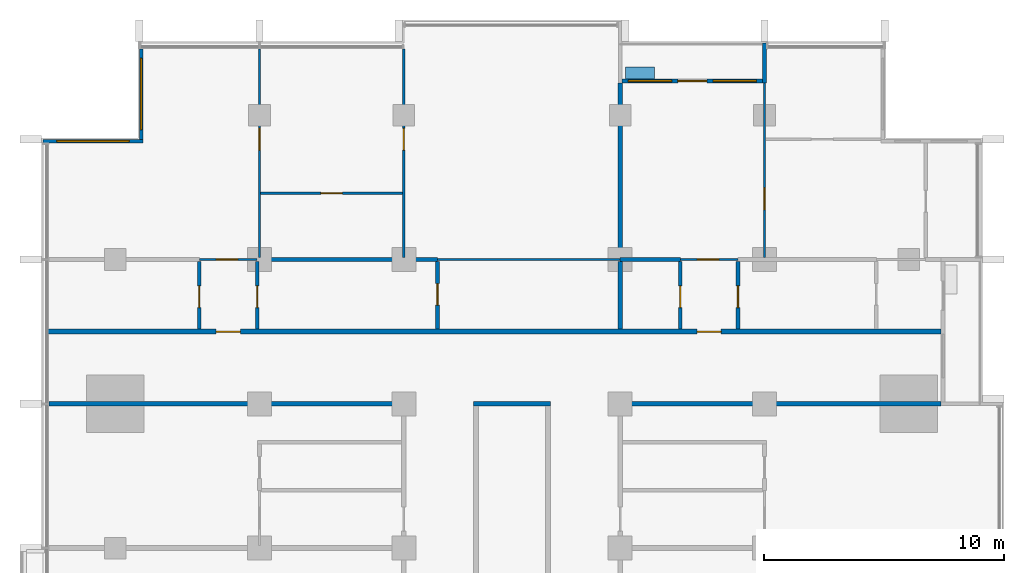
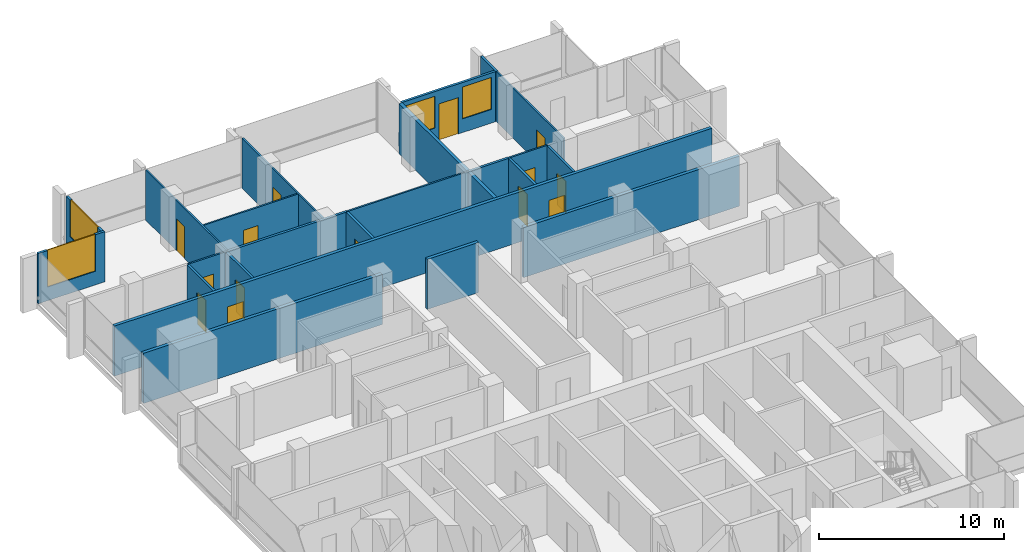
# One storey, part 10 of 16: 25 walls, 14 doors, 4 windows, 18 openings.
"""IFC4 building model written with IfcOpenShell, lengths in metres."""

from ifc_helpers import new_model, si_unit, direction, frame, frame_2d, origin, place, context, subcontext, project, spatial, rectangle, extrude, material, layer, layer_set, type_object, element, fill, save


model = new_model("IFC4")

# Units and contexts
model_context = context("Model", 3, precision=1e-05, world=origin(), true_north=direction((0.0, 1.0)))
body_context = subcontext(model_context, "Body", "Model", "MODEL_VIEW")
ifc_project = project(units=[si_unit("LENGTHUNIT", "METRE"), si_unit("AREAUNIT", "SQUARE_METRE"), si_unit("VOLUMEUNIT", "CUBIC_METRE"), si_unit("PLANEANGLEUNIT", "RADIAN"), si_unit("MASSUNIT", "GRAM", prefix="KILO")], contexts=[model_context])

# Site, building, storey
site_placement = place(None, origin())
site = spatial("IfcSite", under=ifc_project, at=site_placement, CompositionType="ELEMENT")
building_placement = place(site_placement, origin())
building = spatial("IfcBuilding", under=site, at=building_placement, Name="Finial Court Residences", CompositionType="ELEMENT")
storey_placement = place(building_placement, frame((0.0, 0.0, 160.10009765625)))
storey = spatial("IfcBuildingStorey", under=building, at=storey_placement, Name="L39", CompositionType="ELEMENT", Elevation=160.10009765625)

# Walls
ifc_material_1 = material(Name="Gypsum board")
ifc_layer_1 = layer(ifc_material_1, 0.02490234375)
ifc_material_2 = material(Name="Acoustic mineral wool in double frame")
ifc_layer_2 = layer(ifc_material_2, 0.14990234375)
ifc_layer_3 = layer(ifc_material_1, 0.02490234375)
ifc_layer_set_1 = layer_set([ifc_layer_1, ifc_layer_2, ifc_layer_3], Name="Acoustic party wall 200, 1 hour")
wall_type_1 = type_object("IfcWallType", Name="Acoustic party wall 200, 1 hour", PredefinedType="PARTITIONING", material=ifc_layer_set_1)
wall_1_placement = place(storey_placement, frame((4.5, 10.60009765625, 0.0), z_axis=(0.0, 0.0, 1.0), x_axis=(0.0, 1.0, 0.0)))
element("IfcWall", 1, at=wall_1_placement, inside=storey, type_object=wall_type_1, Name="Partition L39-048", PredefinedType="PARTITIONING", context=body_context, shape_type="SweptSolid", body=[
    extrude(rectangle(XDim=2.824951171875, YDim=0.199951171875, at=frame_2d((1.41259765625, 0.0))), origin(), (0.0, 0.0, 1.0), 3.2998046875),
])
wall_2_placement = place(storey_placement, frame((4.5, 13.574951171875, 0.0), z_axis=(0.0, 0.0, 1.0), x_axis=(0.0, 1.0, 0.0)))
element("IfcWall", 2, at=wall_2_placement, inside=storey, type_object=wall_type_1, Name="Partition L39-049", PredefinedType="PARTITIONING", context=body_context, shape_type="SweptSolid", body=[
    extrude(rectangle(XDim=7.275146484375, YDim=0.199951171875, at=frame_2d((3.6376953125, 0.0))), origin(), (0.0, 0.0, 1.0), 3.2998046875),
])
ifc_layer_4 = layer(ifc_material_1, 0.02490234375)
ifc_layer_5 = layer(ifc_material_2, 0.14990234375)
ifc_layer_6 = layer(ifc_material_1, 0.02490234375)
ifc_layer_set_2 = layer_set([ifc_layer_4, ifc_layer_5, ifc_layer_6], Name="Corridor wall 200, 1 hour")
wall_type_2 = type_object("IfcWallType", Name="Corridor wall 200, 1 hour", PredefinedType="PARTITIONING", material=ifc_layer_set_2)
wall_3_placement = place(storey_placement, frame((-19.262451171875, 7.5, 0.0), z_axis=(0.0, 0.0, 1.0), x_axis=(1.0, 0.0, 0.0)))
element("IfcWall", 3, at=wall_3_placement, inside=storey, type_object=wall_type_2, Name="Partition L39-019", PredefinedType="PARTITIONING", context=body_context, shape_type="SweptSolid", body=[
    extrude(rectangle(XDim=14.862548828125, YDim=0.199951171875, at=frame_2d((7.43115234375, 0.0))), origin(), (0.0, 0.0, 1.0), 3.2998046875),
])
wall_4_placement = place(storey_placement, frame((-1.60009765625, 7.5, 0.0), z_axis=(0.0, 0.0, 1.0), x_axis=(1.0, 0.0, 0.0)))
element("IfcWall", 4, at=wall_4_placement, inside=storey, type_object=wall_type_2, Name="Partition L39-020", PredefinedType="PARTITIONING", context=body_context, shape_type="SweptSolid", body=[
    extrude(rectangle(XDim=3.2001953125, YDim=0.199951171875, at=frame_2d((1.60009765625, 0.0))), origin(), (0.0, 0.0, 1.0), 3.2998046875),
])
wall_5_placement = place(storey_placement, frame((4.39990234375, 7.5, 0.0), z_axis=(0.0, 0.0, 1.0), x_axis=(1.0, 0.0, 0.0)))
element("IfcWall", 5, at=wall_5_placement, inside=storey, type_object=wall_type_2, Name="Partition L39-021", PredefinedType="PARTITIONING", context=body_context, shape_type="SweptSolid", body=[
    extrude(rectangle(XDim=13.4501953125, YDim=0.199951171875, at=frame_2d((6.72509765625, 0.0))), origin(), (0.0, 0.0, 1.0), 3.2998046875),
])

# Wall, openings, doors
wall_6_placement = place(storey_placement, frame((-19.35009765625, 10.5, 0.0), z_axis=(0.0, 0.0, 1.0), x_axis=(1.0, 0.0, 0.0)))
wall_6 = element("IfcWall", 6, at=wall_6_placement, inside=storey, type_object=wall_type_2, Name="Partition L39-022", PredefinedType="PARTITIONING", context=body_context, shape_type="SweptSolid", body=[
    extrude(rectangle(XDim=37.2001953125, YDim=0.199951171875, at=frame_2d((18.60009765625, 0.0))), origin(), (0.0, 0.0, 1.0), 3.2998046875),
])
opening_1_placement = place(wall_6_placement, frame((7.050048828125, 0.0, 0.0)))
opening_1 = element("IfcOpeningElement", 7, at=opening_1_placement, cuts=wall_6, Name="Opening L39-D012", PredefinedType="OPENING", context=body_context, shape_type="SweptSolid", body=[
    extrude(rectangle(XDim=1.0, YDim=2.10009765625, at=frame_2d((0.5, 1.050048828125))), frame((0.0, 0.10986328125, 0.0), z_axis=(0.0, -1.0, 0.0), x_axis=(1.0, 0.0, 0.0)), (0.0, 0.0, 1.0), 0.219970703125),
])
opening_2_placement = place(wall_6_placement, frame((27.050048828125, 0.0, 0.0)))
opening_2 = element("IfcOpeningElement", 8, at=opening_2_placement, cuts=wall_6, Name="Opening L39-D013", PredefinedType="OPENING", context=body_context, shape_type="SweptSolid", body=[
    extrude(rectangle(XDim=1.0, YDim=2.10009765625, at=frame_2d((0.5, 1.050048828125))), frame((0.0, 0.10986328125, 0.0), z_axis=(0.0, -1.0, 0.0), x_axis=(1.0, 0.0, 0.0)), (0.0, 0.0, 1.0), 0.219970703125),
])
ifc_material_3 = material(Name="Timber door leaf in hollow metal frame", Category="wood")
door_type_1 = type_object("IfcDoorType", Name="Fire door set 1000 x 2100, 30 minutes", OperationType="SINGLE_SWING_LEFT", PredefinedType="DOOR", material=ifc_material_3)
door_1_placement = place(opening_1_placement, origin())
door_1 = element("IfcDoor", 9, at=door_1_placement, inside=storey, type_object=door_type_1, Name="Door L39-D012", OperationType="SINGLE_SWING_RIGHT", OverallHeight=2.10009765625, OverallWidth=1.0, PredefinedType="DOOR", context=body_context, shape_type="SweptSolid", body=[
    extrude(rectangle(XDim=1.0, YDim=2.10009765625, at=frame_2d((0.5, 1.050048828125))), frame((0.0, 0.02490234375, 0.0), z_axis=(0.0, -1.0, 0.0), x_axis=(1.0, 0.0, 0.0)), (0.0, 0.0, 1.0), 0.050048828125),
])
fill(opening_1, door_1)
door_2_placement = place(opening_2_placement, origin())
door_2 = element("IfcDoor", 10, at=door_2_placement, inside=storey, type_object=door_type_1, Name="Door L39-D013", OperationType="SINGLE_SWING_LEFT", OverallHeight=2.10009765625, OverallWidth=1.0, PredefinedType="DOOR", context=body_context, shape_type="SweptSolid", body=[
    extrude(rectangle(XDim=1.0, YDim=2.10009765625, at=frame_2d((0.5, 1.050048828125))), frame((0.0, 0.02490234375, 0.0), z_axis=(0.0, -1.0, 0.0), x_axis=(1.0, 0.0, 0.0)), (0.0, 0.0, 1.0), 0.050048828125),
])
fill(opening_2, door_2)

# Wall, opening, door
ifc_layer_7 = layer(ifc_material_1, 0.012451171875)
ifc_material_4 = material(Name="Mineral wool in light-gauge frame")
ifc_layer_8 = layer(ifc_material_4, 0.074951171875)
ifc_layer_9 = layer(ifc_material_1, 0.012451171875)
ifc_layer_set_3 = layer_set([ifc_layer_7, ifc_layer_8, ifc_layer_9], Name="Gypsum board partition 100")
wall_type_3 = type_object("IfcWallType", Name="Gypsum board partition 100", PredefinedType="PARTITIONING", material=ifc_layer_set_3)
wall_7_placement = place(storey_placement, frame((-13.0, 13.5, 0.0), z_axis=(0.0, 0.0, 1.0), x_axis=(1.0, 0.0, 0.0)))
wall_7 = element("IfcWall", 11, at=wall_7_placement, inside=storey, type_object=wall_type_3, Name="Partition L39-023", PredefinedType="PARTITIONING", context=body_context, shape_type="SweptSolid", body=[
    extrude(rectangle(XDim=2.39990234375, YDim=0.10009765625, at=frame_2d((1.199951171875, 0.0))), origin(), (0.0, 0.0, 1.0), 3.2998046875),
])
opening_3_placement = place(wall_7_placement, frame((0.699951171875, 0.0, 0.0)))
opening_3 = element("IfcOpeningElement", 12, at=opening_3_placement, cuts=wall_7, Name="Opening L39-D014", PredefinedType="OPENING", context=body_context, shape_type="SweptSolid", body=[
    extrude(rectangle(XDim=0.89990234375, YDim=2.10009765625, at=frame_2d((0.449951171875, 1.050048828125))), frame((0.0, 0.06005859375, 0.0), z_axis=(0.0, -1.0, 0.0), x_axis=(1.0, 0.0, 0.0)), (0.0, 0.0, 1.0), 0.1201171875),
])
ifc_material_5 = material(Name="Timber door leaf in timber frame", Category="wood")
door_type_2 = type_object("IfcDoorType", Name="Door set 900 x 2100", OperationType="SINGLE_SWING_LEFT", PredefinedType="DOOR", material=ifc_material_5)
door_3_placement = place(opening_3_placement, origin())
door_3 = element("IfcDoor", 13, at=door_3_placement, inside=storey, type_object=door_type_2, Name="Door L39-D014", OperationType="SINGLE_SWING_LEFT", OverallHeight=2.10009765625, OverallWidth=0.89990234375, PredefinedType="DOOR", context=body_context, shape_type="SweptSolid", body=[
    extrude(rectangle(XDim=0.89990234375, YDim=2.10009765625, at=frame_2d((0.449951171875, 1.050048828125))), frame((0.0, 0.02490234375, 0.0), z_axis=(0.0, -1.0, 0.0), x_axis=(1.0, 0.0, 0.0)), (0.0, 0.0, 1.0), 0.050048828125),
])
fill(opening_3, door_3)

# Wall
wall_8_placement = place(storey_placement, frame((-3.10009765625, 13.5, 0.0), z_axis=(0.0, 0.0, 1.0), x_axis=(1.0, 0.0, 0.0)))
element("IfcWall", 14, at=wall_8_placement, inside=storey, type_object=wall_type_3, Name="Partition L39-024", PredefinedType="PARTITIONING", context=body_context, shape_type="SweptSolid", body=[
    extrude(rectangle(XDim=7.60009765625, YDim=0.10009765625, at=frame_2d((3.800048828125, 0.0))), origin(), (0.0, 0.0, 1.0), 3.2998046875),
])

# Wall, opening, door
wall_9_placement = place(storey_placement, frame((7.0, 13.5, 0.0), z_axis=(0.0, 0.0, 1.0), x_axis=(1.0, 0.0, 0.0)))
wall_9 = element("IfcWall", 15, at=wall_9_placement, inside=storey, type_object=wall_type_3, Name="Partition L39-025", PredefinedType="PARTITIONING", context=body_context, shape_type="SweptSolid", body=[
    extrude(rectangle(XDim=2.39990234375, YDim=0.10009765625, at=frame_2d((1.199951171875, 0.0))), origin(), (0.0, 0.0, 1.0), 3.2998046875),
])
opening_4_placement = place(wall_9_placement, frame((0.699951171875, 0.0, 0.0)))
opening_4 = element("IfcOpeningElement", 16, at=opening_4_placement, cuts=wall_9, Name="Opening L39-D015", PredefinedType="OPENING", context=body_context, shape_type="SweptSolid", body=[
    extrude(rectangle(XDim=0.89990234375, YDim=2.10009765625, at=frame_2d((0.449951171875, 1.050048828125))), frame((0.0, 0.06005859375, 0.0), z_axis=(0.0, -1.0, 0.0), x_axis=(1.0, 0.0, 0.0)), (0.0, 0.0, 1.0), 0.1201171875),
])
door_4_placement = place(opening_4_placement, origin())
door_4 = element("IfcDoor", 17, at=door_4_placement, inside=storey, type_object=door_type_2, Name="Door L39-D015", OperationType="SINGLE_SWING_LEFT", OverallHeight=2.10009765625, OverallWidth=0.89990234375, PredefinedType="DOOR", context=body_context, shape_type="SweptSolid", body=[
    extrude(rectangle(XDim=0.89990234375, YDim=2.10009765625, at=frame_2d((0.449951171875, 1.050048828125))), frame((0.0, 0.02490234375, 0.0), z_axis=(0.0, -1.0, 0.0), x_axis=(1.0, 0.0, 0.0)), (0.0, 0.0, 1.0), 0.050048828125),
])
fill(opening_4, door_4)

wall_10_placement = place(storey_placement, frame((-10.449951171875, 16.25, 0.0), z_axis=(0.0, 0.0, 1.0), x_axis=(1.0, 0.0, 0.0)))
wall_10 = element("IfcWall", 18, at=wall_10_placement, inside=storey, type_object=wall_type_3, Name="Partition L39-032", PredefinedType="PARTITIONING", context=body_context, shape_type="SweptSolid", body=[
    extrude(rectangle(XDim=5.89990234375, YDim=0.10009765625, at=frame_2d((2.949951171875, 0.0))), origin(), (0.0, 0.0, 1.0), 3.2998046875),
])
opening_5_placement = place(wall_10_placement, frame((2.5, 0.0, 0.0)))
opening_5 = element("IfcOpeningElement", 19, at=opening_5_placement, cuts=wall_10, Name="Opening L39-D016", PredefinedType="OPENING", context=body_context, shape_type="SweptSolid", body=[
    extrude(rectangle(XDim=0.89990234375, YDim=2.10009765625, at=frame_2d((0.449951171875, 1.050048828125))), frame((0.0, 0.06005859375, 0.0), z_axis=(0.0, -1.0, 0.0), x_axis=(1.0, 0.0, 0.0)), (0.0, 0.0, 1.0), 0.1201171875),
])
door_5_placement = place(opening_5_placement, origin())
door_5 = element("IfcDoor", 20, at=door_5_placement, inside=storey, type_object=door_type_2, Name="Door L39-D016", OperationType="SINGLE_SWING_LEFT", OverallHeight=2.10009765625, OverallWidth=0.89990234375, PredefinedType="DOOR", context=body_context, shape_type="SweptSolid", body=[
    extrude(rectangle(XDim=0.89990234375, YDim=2.10009765625, at=frame_2d((0.449951171875, 1.050048828125))), frame((0.0, 0.02490234375, 0.0), z_axis=(0.0, -1.0, 0.0), x_axis=(1.0, 0.0, 0.0)), (0.0, 0.0, 1.0), 0.050048828125),
])
fill(opening_5, door_5)

wall_11_placement = place(storey_placement, frame((-10.5, 13.574951171875, 0.0), z_axis=(0.0, 0.0, 1.0), x_axis=(0.0, 1.0, 0.0)))
wall_11 = element("IfcWall", 21, at=wall_11_placement, inside=storey, type_object=wall_type_3, Name="Partition L39-039", PredefinedType="PARTITIONING", context=body_context, shape_type="SweptSolid", body=[
    extrude(rectangle(XDim=8.6875, YDim=0.10009765625, at=frame_2d((4.34375, 0.0))), origin(), (0.0, 0.0, 1.0), 3.2998046875),
])
opening_6_placement = place(wall_11_placement, frame((4.47509765625, 0.0, 0.0)))
opening_6 = element("IfcOpeningElement", 22, at=opening_6_placement, cuts=wall_11, Name="Opening L39-D022", PredefinedType="OPENING", context=body_context, shape_type="SweptSolid", body=[
    extrude(rectangle(XDim=0.89990234375, YDim=2.10009765625, at=frame_2d((0.449951171875, 1.050048828125))), frame((0.0, 0.06005859375, 0.0), z_axis=(0.0, -1.0, 0.0), x_axis=(1.0, 0.0, 0.0)), (0.0, 0.0, 1.0), 0.1201171875),
])
door_6_placement = place(opening_6_placement, origin())
door_6 = element("IfcDoor", 23, at=door_6_placement, inside=storey, type_object=door_type_2, Name="Door L39-D022", OperationType="SINGLE_SWING_RIGHT", OverallHeight=2.10009765625, OverallWidth=0.89990234375, PredefinedType="DOOR", context=body_context, shape_type="SweptSolid", body=[
    extrude(rectangle(XDim=0.89990234375, YDim=2.10009765625, at=frame_2d((0.449951171875, 1.050048828125))), frame((0.0, 0.02490234375, 0.0), z_axis=(0.0, -1.0, 0.0), x_axis=(1.0, 0.0, 0.0)), (0.0, 0.0, 1.0), 0.050048828125),
])
fill(opening_6, door_6)

wall_12_placement = place(storey_placement, frame((-4.5, 13.574951171875, 0.0), z_axis=(0.0, 0.0, 1.0), x_axis=(0.0, 1.0, 0.0)))
wall_12 = element("IfcWall", 24, at=wall_12_placement, inside=storey, type_object=wall_type_3, Name="Partition L39-043", PredefinedType="PARTITIONING", context=body_context, shape_type="SweptSolid", body=[
    extrude(rectangle(XDim=8.6875, YDim=0.10009765625, at=frame_2d((4.34375, 0.0))), origin(), (0.0, 0.0, 1.0), 3.2998046875),
])
opening_7_placement = place(wall_12_placement, frame((4.47509765625, 0.0, 0.0)))
opening_7 = element("IfcOpeningElement", 25, at=opening_7_placement, cuts=wall_12, Name="Opening L39-D026", PredefinedType="OPENING", context=body_context, shape_type="SweptSolid", body=[
    extrude(rectangle(XDim=0.89990234375, YDim=2.10009765625, at=frame_2d((0.449951171875, 1.050048828125))), frame((0.0, 0.06005859375, 0.0), z_axis=(0.0, -1.0, 0.0), x_axis=(1.0, 0.0, 0.0)), (0.0, 0.0, 1.0), 0.1201171875),
])
door_7_placement = place(opening_7_placement, origin())
door_7 = element("IfcDoor", 26, at=door_7_placement, inside=storey, type_object=door_type_2, Name="Door L39-D026", OperationType="SINGLE_SWING_RIGHT", OverallHeight=2.10009765625, OverallWidth=0.89990234375, PredefinedType="DOOR", context=body_context, shape_type="SweptSolid", body=[
    extrude(rectangle(XDim=0.89990234375, YDim=2.10009765625, at=frame_2d((0.449951171875, 1.050048828125))), frame((0.0, 0.02490234375, 0.0), z_axis=(0.0, -1.0, 0.0), x_axis=(1.0, 0.0, 0.0)), (0.0, 0.0, 1.0), 0.050048828125),
])
fill(opening_7, door_7)

wall_13_placement = place(storey_placement, frame((10.5, 13.574951171875, 0.0), z_axis=(0.0, 0.0, 1.0), x_axis=(0.0, 1.0, 0.0)))
wall_13 = element("IfcWall", 27, at=wall_13_placement, inside=storey, type_object=wall_type_3, Name="Partition L39-054", PredefinedType="PARTITIONING", context=body_context, shape_type="SweptSolid", body=[
    extrude(rectangle(XDim=7.275146484375, YDim=0.10009765625, at=frame_2d((3.6376953125, 0.0))), origin(), (0.0, 0.0, 1.0), 3.2998046875),
])
opening_8_placement = place(wall_13_placement, frame((2.0, 0.0, 0.0)))
opening_8 = element("IfcOpeningElement", 28, at=opening_8_placement, cuts=wall_13, Name="Opening L39-D033", PredefinedType="OPENING", context=body_context, shape_type="SweptSolid", body=[
    extrude(rectangle(XDim=0.89990234375, YDim=2.10009765625, at=frame_2d((0.449951171875, 1.050048828125))), frame((0.0, 0.06005859375, 0.0), z_axis=(0.0, -1.0, 0.0), x_axis=(1.0, 0.0, 0.0)), (0.0, 0.0, 1.0), 0.1201171875),
])
door_8_placement = place(opening_8_placement, origin())
door_8 = element("IfcDoor", 29, at=door_8_placement, inside=storey, type_object=door_type_2, Name="Door L39-D033", OperationType="SINGLE_SWING_LEFT", OverallHeight=2.10009765625, OverallWidth=0.89990234375, PredefinedType="DOOR", context=body_context, shape_type="SweptSolid", body=[
    extrude(rectangle(XDim=0.89990234375, YDim=2.10009765625, at=frame_2d((0.449951171875, 1.050048828125))), frame((0.0, 0.02490234375, 0.0), z_axis=(0.0, -1.0, 0.0), x_axis=(1.0, 0.0, 0.0)), (0.0, 0.0, 1.0), 0.050048828125),
])
fill(opening_8, door_8)

# Walls
ifc_material_6 = material(Name="Moisture-resistant gypsum board")
ifc_layer_10 = layer(ifc_material_6, 0.012451171875)
ifc_layer_11 = layer(ifc_material_4, 0.125)
ifc_layer_12 = layer(ifc_material_6, 0.012451171875)
ifc_layer_set_4 = layer_set([ifc_layer_10, ifc_layer_11, ifc_layer_12], Name="Gypsum board wet-area partition 150")
wall_type_4 = type_object("IfcWallType", Name="Gypsum board wet-area partition 150", PredefinedType="PARTITIONING", material=ifc_layer_set_4)
wall_14_placement = place(storey_placement, frame((-10.5, 13.5, 0.0), z_axis=(0.0, 0.0, 1.0), x_axis=(1.0, 0.0, 0.0)))
element("IfcWall", 30, at=wall_14_placement, inside=storey, type_object=wall_type_4, Name="Partition L39-028", PredefinedType="PARTITIONING", context=body_context, shape_type="SweptSolid", body=[
    extrude(rectangle(XDim=7.39990234375, YDim=0.14990234375, at=frame_2d((3.699951171875, 0.0))), origin(), (0.0, 0.0, 1.0), 3.2998046875),
])
wall_15_placement = place(storey_placement, frame((4.5, 13.5, 0.0), z_axis=(0.0, 0.0, 1.0), x_axis=(1.0, 0.0, 0.0)))
element("IfcWall", 31, at=wall_15_placement, inside=storey, type_object=wall_type_4, Name="Partition L39-029", PredefinedType="PARTITIONING", context=body_context, shape_type="SweptSolid", body=[
    extrude(rectangle(XDim=2.5, YDim=0.14990234375, at=frame_2d((1.25, 0.0))), origin(), (0.0, 0.0, 1.0), 3.2998046875),
])

# Wall, opening, door
wall_16_placement = place(storey_placement, frame((-13.0, 10.60009765625, 0.0), z_axis=(0.0, 0.0, 1.0), x_axis=(0.0, 1.0, 0.0)))
wall_16 = element("IfcWall", 32, at=wall_16_placement, inside=storey, type_object=wall_type_4, Name="Partition L39-035", PredefinedType="PARTITIONING", context=body_context, shape_type="SweptSolid", body=[
    extrude(rectangle(XDim=2.824951171875, YDim=0.14990234375, at=frame_2d((1.41259765625, 0.0))), origin(), (0.0, 0.0, 1.0), 3.2998046875),
])
opening_9_placement = place(wall_16_placement, frame((0.89990234375, 0.0, 0.0)))
opening_9 = element("IfcOpeningElement", 33, at=opening_9_placement, cuts=wall_16, Name="Opening L39-D018", PredefinedType="OPENING", context=body_context, shape_type="SweptSolid", body=[
    extrude(rectangle(XDim=0.89990234375, YDim=2.10009765625, at=frame_2d((0.449951171875, 1.050048828125))), frame((0.0, 0.0849609375, 0.0), z_axis=(0.0, -1.0, 0.0), x_axis=(1.0, 0.0, 0.0)), (0.0, 0.0, 1.0), 0.169921875),
])
door_9_placement = place(opening_9_placement, origin())
door_9 = element("IfcDoor", 34, at=door_9_placement, inside=storey, type_object=door_type_2, Name="Door L39-D018", OperationType="SINGLE_SWING_LEFT", OverallHeight=2.10009765625, OverallWidth=0.89990234375, PredefinedType="DOOR", context=body_context, shape_type="SweptSolid", body=[
    extrude(rectangle(XDim=0.89990234375, YDim=2.10009765625, at=frame_2d((0.449951171875, 1.050048828125))), frame((0.0, 0.02490234375, 0.0), z_axis=(0.0, -1.0, 0.0), x_axis=(1.0, 0.0, 0.0)), (0.0, 0.0, 1.0), 0.050048828125),
])
fill(opening_9, door_9)

wall_17_placement = place(storey_placement, frame((-10.60009765625, 10.60009765625, 0.0), z_axis=(0.0, 0.0, 1.0), x_axis=(0.0, 1.0, 0.0)))
wall_17 = element("IfcWall", 35, at=wall_17_placement, inside=storey, type_object=wall_type_4, Name="Partition L39-036", PredefinedType="PARTITIONING", context=body_context, shape_type="SweptSolid", body=[
    extrude(rectangle(XDim=2.824951171875, YDim=0.14990234375, at=frame_2d((1.41259765625, 0.0))), origin(), (0.0, 0.0, 1.0), 3.2998046875),
])
opening_10_placement = place(wall_17_placement, frame((0.89990234375, 0.0, 0.0)))
opening_10 = element("IfcOpeningElement", 36, at=opening_10_placement, cuts=wall_17, Name="Opening L39-D019", PredefinedType="OPENING", context=body_context, shape_type="SweptSolid", body=[
    extrude(rectangle(XDim=0.89990234375, YDim=2.10009765625, at=frame_2d((0.449951171875, 1.050048828125))), frame((0.0, 0.0849609375, 0.0), z_axis=(0.0, -1.0, 0.0), x_axis=(1.0, 0.0, 0.0)), (0.0, 0.0, 1.0), 0.169921875),
])
door_10_placement = place(opening_10_placement, origin())
door_10 = element("IfcDoor", 37, at=door_10_placement, inside=storey, type_object=door_type_2, Name="Door L39-D019", OperationType="SINGLE_SWING_RIGHT", OverallHeight=2.10009765625, OverallWidth=0.89990234375, PredefinedType="DOOR", context=body_context, shape_type="SweptSolid", body=[
    extrude(rectangle(XDim=0.89990234375, YDim=2.10009765625, at=frame_2d((0.449951171875, 1.050048828125))), frame((0.0, 0.02490234375, 0.0), z_axis=(0.0, -1.0, 0.0), x_axis=(1.0, 0.0, 0.0)), (0.0, 0.0, 1.0), 0.050048828125),
])
fill(opening_10, door_10)

wall_18_placement = place(storey_placement, frame((-3.10009765625, 10.60009765625, 0.0), z_axis=(0.0, 0.0, 1.0), x_axis=(0.0, 1.0, 0.0)))
wall_18 = element("IfcWall", 38, at=wall_18_placement, inside=storey, type_object=wall_type_4, Name="Partition L39-044", PredefinedType="PARTITIONING", context=body_context, shape_type="SweptSolid", body=[
    extrude(rectangle(XDim=2.824951171875, YDim=0.14990234375, at=frame_2d((1.41259765625, 0.0))), origin(), (0.0, 0.0, 1.0), 3.2998046875),
])
opening_11_placement = place(wall_18_placement, frame((1.0, 0.0, 0.0)))
opening_11 = element("IfcOpeningElement", 39, at=opening_11_placement, cuts=wall_18, Name="Opening L39-D027", PredefinedType="OPENING", context=body_context, shape_type="SweptSolid", body=[
    extrude(rectangle(XDim=0.89990234375, YDim=2.10009765625, at=frame_2d((0.449951171875, 1.050048828125))), frame((0.0, 0.0849609375, 0.0), z_axis=(0.0, -1.0, 0.0), x_axis=(1.0, 0.0, 0.0)), (0.0, 0.0, 1.0), 0.169921875),
])
door_11_placement = place(opening_11_placement, origin())
door_11 = element("IfcDoor", 40, at=door_11_placement, inside=storey, type_object=door_type_2, Name="Door L39-D027", OperationType="SINGLE_SWING_RIGHT", OverallHeight=2.10009765625, OverallWidth=0.89990234375, PredefinedType="DOOR", context=body_context, shape_type="SweptSolid", body=[
    extrude(rectangle(XDim=0.89990234375, YDim=2.10009765625, at=frame_2d((0.449951171875, 1.050048828125))), frame((0.0, 0.02490234375, 0.0), z_axis=(0.0, -1.0, 0.0), x_axis=(1.0, 0.0, 0.0)), (0.0, 0.0, 1.0), 0.050048828125),
])
fill(opening_11, door_11)

wall_19_placement = place(storey_placement, frame((7.0, 10.60009765625, 0.0), z_axis=(0.0, 0.0, 1.0), x_axis=(0.0, 1.0, 0.0)))
wall_19 = element("IfcWall", 41, at=wall_19_placement, inside=storey, type_object=wall_type_4, Name="Partition L39-050", PredefinedType="PARTITIONING", context=body_context, shape_type="SweptSolid", body=[
    extrude(rectangle(XDim=2.824951171875, YDim=0.14990234375, at=frame_2d((1.41259765625, 0.0))), origin(), (0.0, 0.0, 1.0), 3.2998046875),
])
opening_12_placement = place(wall_19_placement, frame((0.89990234375, 0.0, 0.0)))
opening_12 = element("IfcOpeningElement", 42, at=opening_12_placement, cuts=wall_19, Name="Opening L39-D029", PredefinedType="OPENING", context=body_context, shape_type="SweptSolid", body=[
    extrude(rectangle(XDim=0.89990234375, YDim=2.10009765625, at=frame_2d((0.449951171875, 1.050048828125))), frame((0.0, 0.0849609375, 0.0), z_axis=(0.0, -1.0, 0.0), x_axis=(1.0, 0.0, 0.0)), (0.0, 0.0, 1.0), 0.169921875),
])
door_12_placement = place(opening_12_placement, origin())
door_12 = element("IfcDoor", 43, at=door_12_placement, inside=storey, type_object=door_type_2, Name="Door L39-D029", OperationType="SINGLE_SWING_LEFT", OverallHeight=2.10009765625, OverallWidth=0.89990234375, PredefinedType="DOOR", context=body_context, shape_type="SweptSolid", body=[
    extrude(rectangle(XDim=0.89990234375, YDim=2.10009765625, at=frame_2d((0.449951171875, 1.050048828125))), frame((0.0, 0.02490234375, 0.0), z_axis=(0.0, -1.0, 0.0), x_axis=(1.0, 0.0, 0.0)), (0.0, 0.0, 1.0), 0.050048828125),
])
fill(opening_12, door_12)

wall_20_placement = place(storey_placement, frame((9.39990234375, 10.60009765625, 0.0), z_axis=(0.0, 0.0, 1.0), x_axis=(0.0, 1.0, 0.0)))
wall_20 = element("IfcWall", 44, at=wall_20_placement, inside=storey, type_object=wall_type_4, Name="Partition L39-051", PredefinedType="PARTITIONING", context=body_context, shape_type="SweptSolid", body=[
    extrude(rectangle(XDim=2.824951171875, YDim=0.14990234375, at=frame_2d((1.41259765625, 0.0))), origin(), (0.0, 0.0, 1.0), 3.2998046875),
])
opening_13_placement = place(wall_20_placement, frame((0.89990234375, 0.0, 0.0)))
opening_13 = element("IfcOpeningElement", 45, at=opening_13_placement, cuts=wall_20, Name="Opening L39-D030", PredefinedType="OPENING", context=body_context, shape_type="SweptSolid", body=[
    extrude(rectangle(XDim=0.89990234375, YDim=2.10009765625, at=frame_2d((0.449951171875, 1.050048828125))), frame((0.0, 0.0849609375, 0.0), z_axis=(0.0, -1.0, 0.0), x_axis=(1.0, 0.0, 0.0)), (0.0, 0.0, 1.0), 0.169921875),
])
door_13_placement = place(opening_13_placement, origin())
door_13 = element("IfcDoor", 46, at=door_13_placement, inside=storey, type_object=door_type_2, Name="Door L39-D030", OperationType="SINGLE_SWING_RIGHT", OverallHeight=2.10009765625, OverallWidth=0.89990234375, PredefinedType="DOOR", context=body_context, shape_type="SweptSolid", body=[
    extrude(rectangle(XDim=0.89990234375, YDim=2.10009765625, at=frame_2d((0.449951171875, 1.050048828125))), frame((0.0, 0.02490234375, 0.0), z_axis=(0.0, -1.0, 0.0), x_axis=(1.0, 0.0, 0.0)), (0.0, 0.0, 1.0), 0.050048828125),
])
fill(opening_13, door_13)

# Wall, opening, window
ifc_material_7 = material(Name="Natural limestone", Category="masonry")
ifc_layer_13 = layer(ifc_material_7, 0.14990234375)
ifc_layer_set_5 = layer_set([ifc_layer_13], Name="Limestone clad wall 150")
wall_type_5 = type_object("IfcWallType", Name="Limestone clad wall 150", PredefinedType="SOLIDWALL", material=ifc_layer_set_5)
wall_21_placement = place(storey_placement, frame((-15.425048828125, 18.5, 0.0), z_axis=(0.0, 0.0, 1.0), x_axis=(0.0, 1.0, 0.0)))
wall_21 = element("IfcWall", 47, at=wall_21_placement, inside=storey, type_object=wall_type_5, Name="E-L39-NWW16", PredefinedType="SOLIDWALL", context=body_context, shape_type="SweptSolid", body=[
    extrude(rectangle(XDim=3.762451171875, YDim=0.14990234375, at=frame_2d((1.88134765625, 0.0))), origin(), (0.0, 0.0, 1.0), 3.2998046875),
])
opening_14_placement = place(wall_21_placement, frame((0.4013671875, 0.0, 0.89990234375)))
opening_14 = element("IfcOpeningElement", 48, at=opening_14_placement, cuts=wall_21, Name="Opening WE39-05", PredefinedType="OPENING", context=body_context, shape_type="SweptSolid", body=[
    extrude(rectangle(XDim=2.9599609375, YDim=2.39990234375, at=frame_2d((1.47998046875, 1.199951171875))), frame((0.0, 0.0849609375, 0.0), z_axis=(0.0, -1.0, 0.0), x_axis=(1.0, 0.0, 0.0)), (0.0, 0.0, 1.0), 0.169921875),
])
ifc_material_8 = material(Name="Clear low-e glass", Category="glass")
window_type_1 = type_object("IfcWindowType", Name="Corner window 2960 x 2400", PartitioningType="SINGLE_PANEL", PredefinedType="WINDOW", material=ifc_material_8)
window_1_placement = place(opening_14_placement, origin())
window_1 = element("IfcWindow", 49, at=window_1_placement, inside=storey, type_object=window_type_1, Name="E-L39-NWW16-W1", OverallHeight=2.39990234375, OverallWidth=2.9599609375, PartitioningType="SINGLE_PANEL", PredefinedType="WINDOW", context=body_context, shape_type="SweptSolid", body=[
    extrude(rectangle(XDim=2.9599609375, YDim=2.39990234375, at=frame_2d((1.47998046875, 1.199951171875))), frame((0.0, 0.030029296875, 0.0), z_axis=(0.0, -1.0, 0.0), x_axis=(1.0, 0.0, 0.0)), (0.0, 0.0, 1.0), 0.06005859375),
])
fill(opening_14, window_1)

wall_22_placement = place(storey_placement, frame((-19.5, 18.425048828125, 0.0), z_axis=(0.0, 0.0, 1.0), x_axis=(1.0, 0.0, 0.0)))
wall_22 = element("IfcWall", 50, at=wall_22_placement, inside=storey, type_object=wall_type_5, Name="E-L39-NWN17", PredefinedType="SOLIDWALL", context=body_context, shape_type="SweptSolid", body=[
    extrude(rectangle(XDim=4.14990234375, YDim=0.14990234375, at=frame_2d((2.074951171875, 0.0))), origin(), (0.0, 0.0, 1.0), 3.2998046875),
])
opening_15_placement = place(wall_22_placement, frame((0.574951171875, 0.0, 0.89990234375)))
opening_15 = element("IfcOpeningElement", 51, at=opening_15_placement, cuts=wall_22, Name="Opening WE39-06", PredefinedType="OPENING", context=body_context, shape_type="SweptSolid", body=[
    extrude(rectangle(XDim=3.0, YDim=2.39990234375, at=frame_2d((1.5, 1.199951171875))), frame((0.0, 0.0849609375, 0.0), z_axis=(0.0, -1.0, 0.0), x_axis=(1.0, 0.0, 0.0)), (0.0, 0.0, 1.0), 0.169921875),
])
window_type_2 = type_object("IfcWindowType", Name="Corner window 3000 x 2400", PartitioningType="SINGLE_PANEL", PredefinedType="WINDOW", material=ifc_material_8)
window_2_placement = place(opening_15_placement, origin())
window_2 = element("IfcWindow", 52, at=window_2_placement, inside=storey, type_object=window_type_2, Name="E-L39-NWN17-W1", OverallHeight=2.39990234375, OverallWidth=3.0, PartitioningType="SINGLE_PANEL", PredefinedType="WINDOW", context=body_context, shape_type="SweptSolid", body=[
    extrude(rectangle(XDim=3.0, YDim=2.39990234375, at=frame_2d((1.5, 1.199951171875))), frame((0.0, 0.030029296875, 0.0), z_axis=(0.0, -1.0, 0.0), x_axis=(1.0, 0.0, 0.0)), (0.0, 0.0, 1.0), 0.06005859375),
])
fill(opening_15, window_2)

# Wall
wall_23_placement = place(storey_placement, frame((10.5, 20.85009765625, 0.0), z_axis=(0.0, 0.0, 1.0), x_axis=(0.0, 1.0, 0.0)))
element("IfcWall", 53, at=wall_23_placement, inside=storey, type_object=wall_type_5, Name="E-L39-BALN4-P2", PredefinedType="SOLIDWALL", context=body_context, shape_type="SweptSolid", body=[
    extrude(rectangle(XDim=1.64990234375, YDim=0.14990234375, at=frame_2d((0.824951171875, 0.0))), origin(), (0.0, 0.0, 1.0), 3.2998046875),
])

# Wall, openings, door, windows
wall_24_placement = place(storey_placement, frame((4.574951171875, 20.925048828125, 0.0), z_axis=(0.0, 0.0, 1.0), x_axis=(1.0, 0.0, 0.0)))
wall_24 = element("IfcWall", 54, at=wall_24_placement, inside=storey, type_object=wall_type_5, Name="E-L39-L39-BALN4-W", PredefinedType="SOLIDWALL", context=body_context, shape_type="SweptSolid", body=[
    extrude(rectangle(XDim=5.85009765625, YDim=0.14990234375, at=frame_2d((2.925048828125, 0.0))), origin(), (0.0, 0.0, 1.0), 3.2998046875),
])
opening_16_placement = place(wall_24_placement, frame((2.324951171875, 0.0, 0.0)))
opening_16 = element("IfcOpeningElement", 55, at=opening_16_placement, cuts=wall_24, Name="Opening DE39-01", PredefinedType="OPENING", context=body_context, shape_type="SweptSolid", body=[
    extrude(rectangle(XDim=1.199951171875, YDim=2.39990234375, at=frame_2d((0.60009765625, 1.199951171875))), frame((0.0, 0.0849609375, 0.0), z_axis=(0.0, -1.0, 0.0), x_axis=(1.0, 0.0, 0.0)), (0.0, 0.0, 1.0), 0.169921875),
])
opening_17_placement = place(wall_24_placement, frame((0.262451171875, 0.0, 0.89990234375)))
opening_17 = element("IfcOpeningElement", 56, at=opening_17_placement, cuts=wall_24, Name="Opening WE39-10", PredefinedType="OPENING", context=body_context, shape_type="SweptSolid", body=[
    extrude(rectangle(XDim=1.800048828125, YDim=2.10009765625, at=frame_2d((0.89990234375, 1.050048828125))), frame((0.0, 0.0849609375, 0.0), z_axis=(0.0, -1.0, 0.0), x_axis=(1.0, 0.0, 0.0)), (0.0, 0.0, 1.0), 0.169921875),
])
opening_18_placement = place(wall_24_placement, frame((3.78759765625, 0.0, 0.89990234375)))
opening_18 = element("IfcOpeningElement", 57, at=opening_18_placement, cuts=wall_24, Name="Opening WE39-11", PredefinedType="OPENING", context=body_context, shape_type="SweptSolid", body=[
    extrude(rectangle(XDim=1.800048828125, YDim=2.10009765625, at=frame_2d((0.89990234375, 1.050048828125))), frame((0.0, 0.0849609375, 0.0), z_axis=(0.0, -1.0, 0.0), x_axis=(1.0, 0.0, 0.0)), (0.0, 0.0, 1.0), 0.169921875),
])
ifc_material_9 = material(Name="Bronze anodised aluminium", Category="aluminium")
door_type_3 = type_object("IfcDoorType", Name="Balcony door 1200 x 2400", OperationType="SINGLE_SWING_LEFT", PredefinedType="DOOR", material=ifc_material_9)
door_14_placement = place(opening_16_placement, origin())
door_14 = element("IfcDoor", 58, at=door_14_placement, inside=storey, type_object=door_type_3, Name="E-L39-L39-BALN4-W-D", OperationType="SINGLE_SWING_LEFT", OverallHeight=2.39990234375, OverallWidth=1.199951171875, PredefinedType="DOOR", context=body_context, shape_type="SweptSolid", body=[
    extrude(rectangle(XDim=1.199951171875, YDim=2.39990234375, at=frame_2d((0.60009765625, 1.199951171875))), frame((0.0, 0.02490234375, 0.0), z_axis=(0.0, -1.0, 0.0), x_axis=(1.0, 0.0, 0.0)), (0.0, 0.0, 1.0), 0.050048828125),
])
fill(opening_16, door_14)
window_type_3 = type_object("IfcWindowType", Name="Balcony window 1800 x 2100", PartitioningType="SINGLE_PANEL", PredefinedType="WINDOW", material=ifc_material_8)
window_3_placement = place(opening_17_placement, origin())
window_3 = element("IfcWindow", 59, at=window_3_placement, inside=storey, type_object=window_type_3, Name="E-L39-L39-BALN4-W-W1", OverallHeight=2.10009765625, OverallWidth=1.800048828125, PartitioningType="SINGLE_PANEL", PredefinedType="WINDOW", context=body_context, shape_type="SweptSolid", body=[
    extrude(rectangle(XDim=1.800048828125, YDim=2.10009765625, at=frame_2d((0.89990234375, 1.050048828125))), frame((0.0, 0.030029296875, 0.0), z_axis=(0.0, -1.0, 0.0), x_axis=(1.0, 0.0, 0.0)), (0.0, 0.0, 1.0), 0.06005859375),
])
fill(opening_17, window_3)
window_4_placement = place(opening_18_placement, origin())
window_4 = element("IfcWindow", 60, at=window_4_placement, inside=storey, type_object=window_type_3, Name="E-L39-L39-BALN4-W-W2", OverallHeight=2.10009765625, OverallWidth=1.800048828125, PartitioningType="SINGLE_PANEL", PredefinedType="WINDOW", context=body_context, shape_type="SweptSolid", body=[
    extrude(rectangle(XDim=1.800048828125, YDim=2.10009765625, at=frame_2d((0.89990234375, 1.050048828125))), frame((0.0, 0.030029296875, 0.0), z_axis=(0.0, -1.0, 0.0), x_axis=(1.0, 0.0, 0.0)), (0.0, 0.0, 1.0), 0.06005859375),
])
fill(opening_18, window_4)

# Wall
ifc_material_10 = material(Name="Concrete C40/50", Category="concrete")
ifc_layer_14 = layer(ifc_material_10, 0.10009765625)
ifc_material_11 = material(Name="Planting soil", Category="soil")
ifc_layer_15 = layer(ifc_material_11, 0.300048828125)
ifc_layer_16 = layer(ifc_material_10, 0.10009765625)
ifc_layer_set_6 = layer_set([ifc_layer_14, ifc_layer_15, ifc_layer_16], Name="Planter wall, balcony")
wall_type_6 = type_object("IfcWallType", Name="Planter wall, balcony", PredefinedType="USERDEFINED", material=ifc_layer_set_6)
wall_25_placement = place(storey_placement, frame((4.72509765625, 21.25, 0.0), z_axis=(0.0, 0.0, 1.0), x_axis=(1.0, 0.0, 0.0)))
element("IfcWall", 61, at=wall_25_placement, inside=storey, type_object=wall_type_6, Name="E-L39-BALN4-PL", ObjectType="PLANTER", PredefinedType="USERDEFINED", context=body_context, shape_type="SweptSolid", body=[
    extrude(rectangle(XDim=1.199951171875, YDim=0.5, at=frame_2d((0.60009765625, 0.0))), origin(), (0.0, 0.0, 1.0), 0.89990234375),
])

save(model, "model.ifc")
